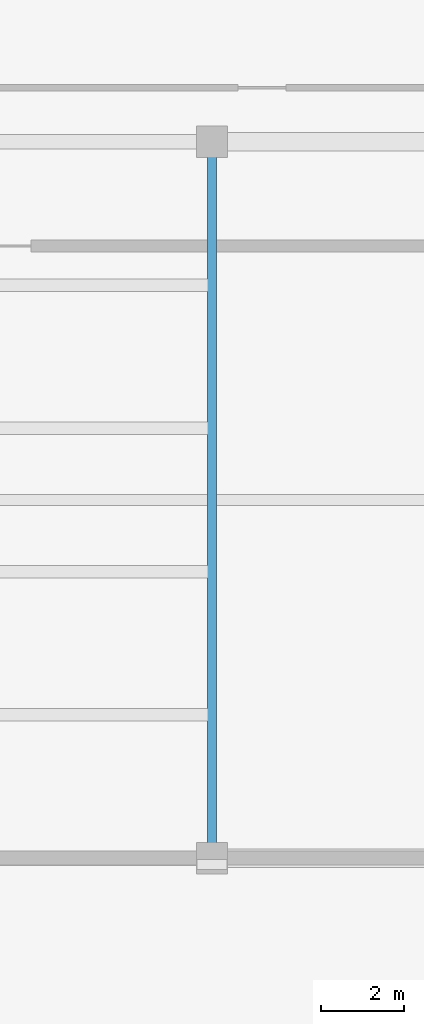
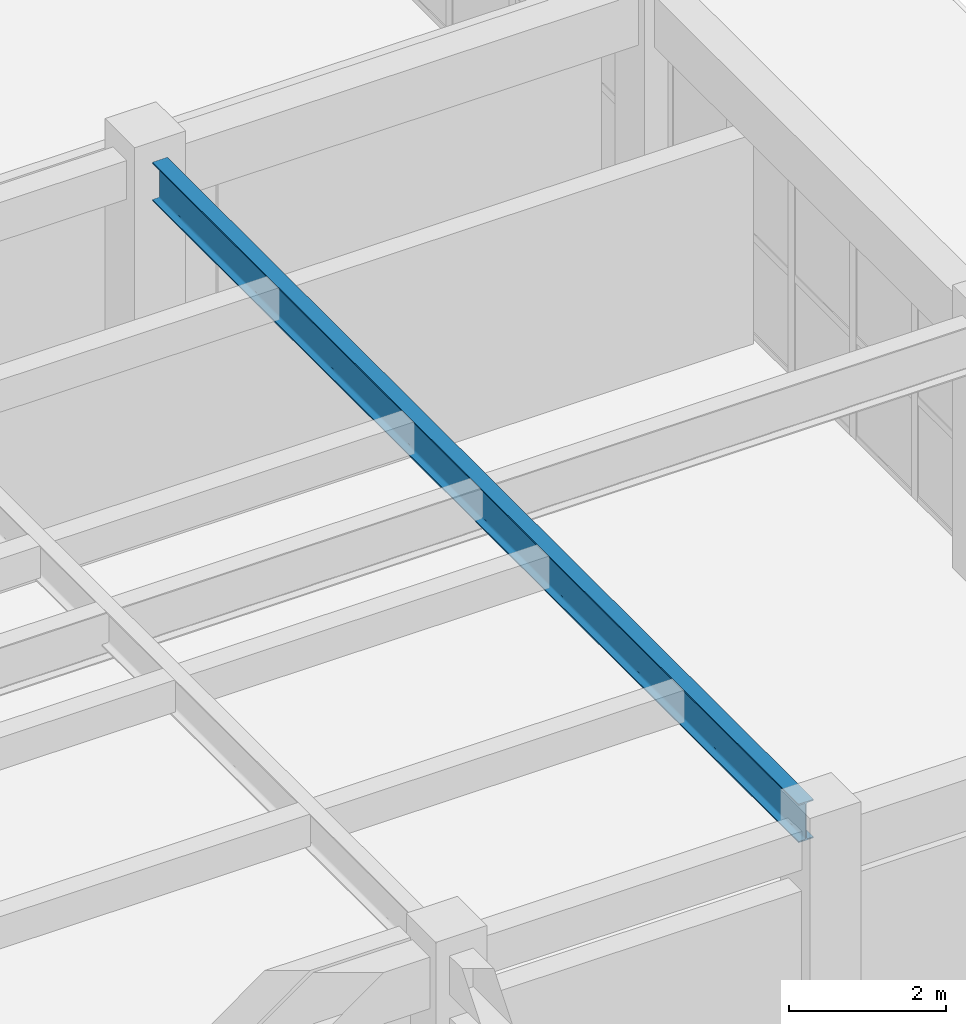
# One storey, part 47 of 90: 1 beam.
"""IFC4 building model written with IfcOpenShell, lengths in metres."""

from ifc_helpers import new_model, si_unit, direction, frame, origin, origin_2d, place, context, subcontext, project, spatial, i_section, extrude, material, material_profile, profile_set, type_object, element, save


model = new_model("IFC4")

# Units and contexts
model_context = context("Model", 3, precision=1e-05, world=origin(), true_north=direction((0.0, 1.0)))
body_context = subcontext(model_context, "Body", "Model", "MODEL_VIEW")
ifc_project = project(units=[si_unit("LENGTHUNIT", "METRE"), si_unit("AREAUNIT", "SQUARE_METRE"), si_unit("VOLUMEUNIT", "CUBIC_METRE"), si_unit("PLANEANGLEUNIT", "RADIAN"), si_unit("MASSUNIT", "GRAM", prefix="KILO")], contexts=[model_context])

# Site, building, storey
site_placement = place(None, origin())
site = spatial("IfcSite", under=ifc_project, at=site_placement, CompositionType="ELEMENT")
building_placement = place(site_placement, origin())
building = spatial("IfcBuilding", under=site, at=building_placement, Name="Muzn Square Opera House", CompositionType="ELEMENT")
storey_placement = place(building_placement, frame((0.0, 0.0, 9.800048828125)))
storey = spatial("IfcBuildingStorey", under=building, at=storey_placement, Name="L02", CompositionType="ELEMENT", Elevation=9.800048828125)

# Beam
ifc_material = material(Name="Steel S355", Category="steel")
ifc_material_profile = material_profile(ifc_material, i_section(OverallWidth=0.219970703125, OverallDepth=0.60009765625, WebThickness=0.011962890625, FlangeThickness=0.01904296875, FilletRadius=0.02392578125, at=origin_2d()), Name="IPE 600", Category="steel")
ifc_profile_set = profile_set([ifc_material_profile], Name="Steel S355")
beam_type = type_object("IfcBeamType", Name="Stage Gallery Beam IPE600", PredefinedType="BEAM", material=ifc_profile_set)
beam_placement = place(storey_placement, frame((162.5, 72.967041015625, 3.780029296875), z_axis=(0.0, 1.0, 0.0), x_axis=(-1.0, 0.0, 0.0)))
element("IfcBeam", 1, at=beam_placement, inside=storey, type_object=beam_type, Name="Primary Girder BM-L02-BM-SG600-1625_730_1625_894-2287", PredefinedType="BEAM", context=body_context, shape_type="SweptSolid", body=[
    extrude(i_section(OverallWidth=0.219970703125, OverallDepth=0.60009765625, WebThickness=0.011962890625, FlangeThickness=0.01904296875, FilletRadius=0.02392578125, at=origin_2d()), origin(), (0.0, 0.0, 1.0), 16.466064453125),
])

save(model, "model.ifc")
